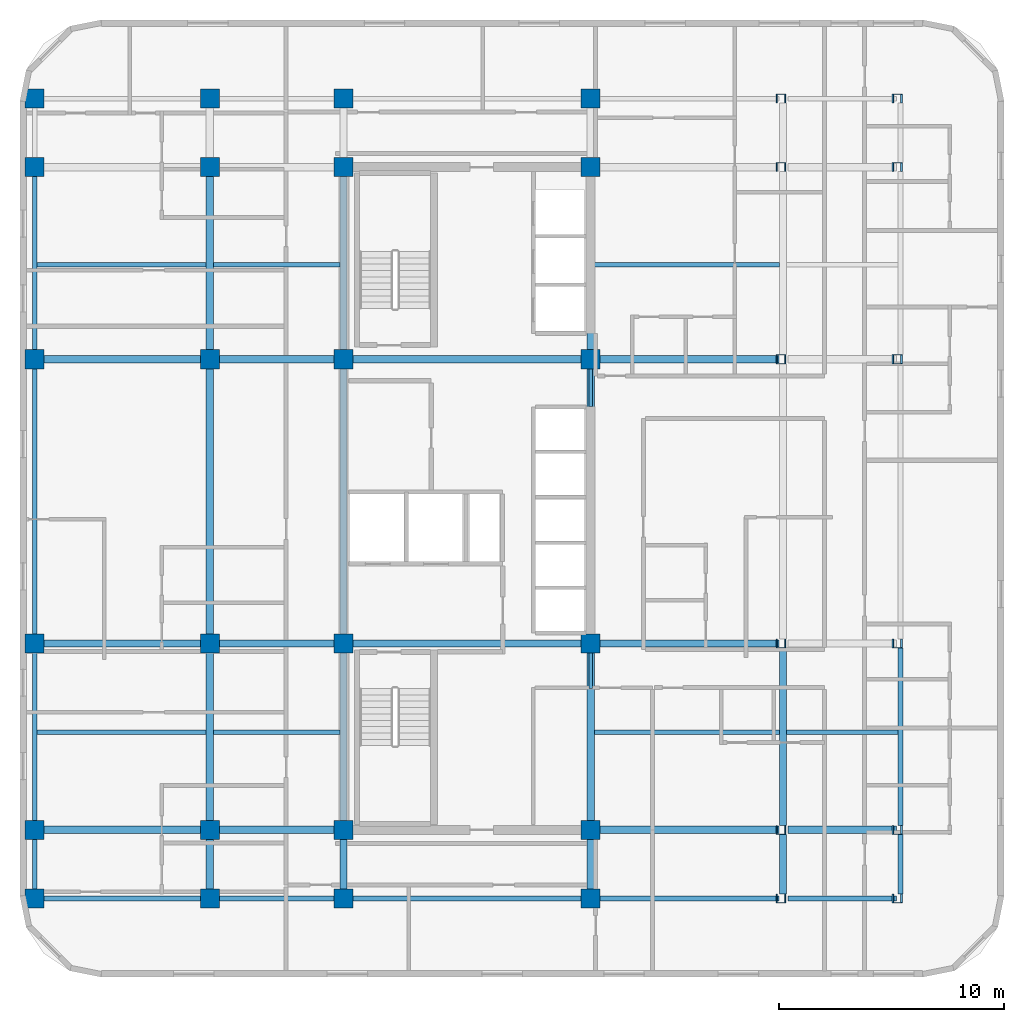
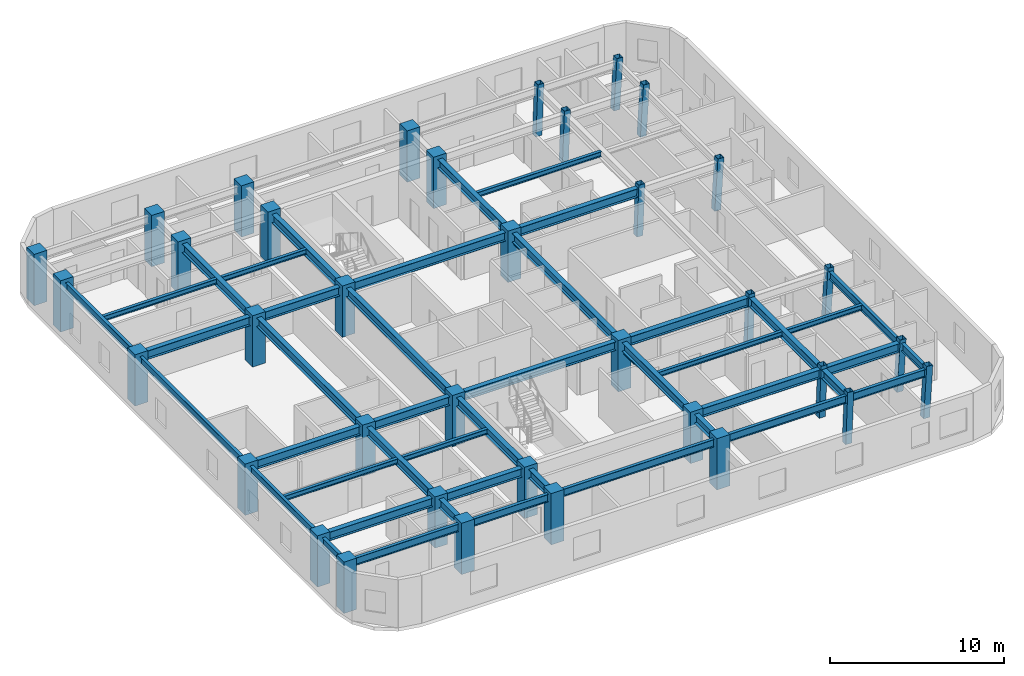
# One storey, part 1 of 9: 46 beams, 36 columns.
"""IFC4 building model written with IfcOpenShell, lengths in metres."""

import ifcopenshell
import ifcopenshell.guid

model = None  # the IFC model being written
_history = None  # IfcOwnerHistory: only IFC2X3 demands one
_inside = {}  # id of a spatial element -> (the spatial element, [elements in it])
_under = {}  # id of a project, library or spatial element -> (it, [spatial elements below it])
_declared = {}  # id of a project -> (the project, [libraries it declares])
_typed = {}  # id of a type object -> (the type object, [elements of that type])
_made_of = {}  # id of a material, layer set ... -> (it, [elements and type objects made of it])


def new_model(schema):
    """Start an empty IFC model of exactly this schema.

    Asked for "IFC4X3", IfcOpenShell would pick the latest addendum, in which some entities
    have other attributes; the version numbers below select the first issue.
    IFC2X3 requires an IfcOwnerHistory on every rooted entity: one is made here for all.
    """
    global model, _history
    if schema == "IFC4X3":
        model = ifcopenshell.file(schema_version=(4, 3, 0, 0))
    else:
        model = ifcopenshell.file(schema=schema)
    _inside.clear()
    _under.clear()
    _declared.clear()
    _typed.clear()
    _made_of.clear()
    _history = None
    if model.schema == "IFC2X3":
        org = make("IfcOrganization", Name="unknown")
        user = make(
            "IfcPersonAndOrganization",
            ThePerson=make("IfcPerson", FamilyName="unknown"),
            TheOrganization=org,
        )
        app = make(
            "IfcApplication",
            ApplicationDeveloper=org,
            Version="unknown",
            ApplicationFullName="unknown",
            ApplicationIdentifier="unknown",
        )
        _history = make(
            "IfcOwnerHistory",
            OwningUser=user,
            OwningApplication=app,
            ChangeAction="ADDED",
            CreationDate=0,
        )
    return model


def make(cls, **values):
    """One entity of the class cls with the attributes given. An attribute that is None is left unset."""
    return model.create_entity(
        cls, **{name: value for name, value in values.items() if value is not None}
    )


def rooted(cls, **values):
    """An entity with a GlobalId (a new one), such as an element, a storey or a relation."""
    return make(cls, GlobalId=ifcopenshell.guid.new(), OwnerHistory=_history, **values)


def si_unit(unit_type, name, prefix=None):
    """IfcSIUnit, for example si_unit("LENGTHUNIT", "METRE", prefix="MILLI")."""
    return make("IfcSIUnit", UnitType=unit_type, Prefix=prefix, Name=name)


def assignment(units):
    """IfcUnitAssignment: the units of a project."""
    return None if units is None else make("IfcUnitAssignment", Units=units)


def point(xyz):
    """IfcCartesianPoint."""
    return None if xyz is None else make("IfcCartesianPoint", Coordinates=xyz)


def direction(xyz):
    """IfcDirection."""
    return None if xyz is None else make("IfcDirection", DirectionRatios=xyz)


def frame(location, z_axis=None, x_axis=None):
    """IfcAxis2Placement3D, a coordinate frame: its origin and axes. An axis left out is left unset."""
    return make(
        "IfcAxis2Placement3D",
        Location=point(location),
        Axis=direction(z_axis),
        RefDirection=direction(x_axis),
    )


def frame_2d(location, x_axis=None):
    """IfcAxis2Placement2D, a coordinate frame in the plane: its origin and x axis."""
    return make(
        "IfcAxis2Placement2D", Location=point(location), RefDirection=direction(x_axis)
    )


def origin():
    """The frame at (0, 0, 0) with its axes left unset."""
    return frame((0.0, 0.0, 0.0))


def origin_2d():
    """The frame at (0, 0) in the plane with its x axis left unset."""
    return frame_2d((0.0, 0.0))


def place(relative_to, where):
    """IfcLocalPlacement: puts the frame where relative to a parent placement (None: the world)."""
    return make(
        "IfcLocalPlacement", PlacementRelTo=relative_to, RelativePlacement=where
    )


def context(
    kind, dimensions, precision=None, world=None, true_north=None, identifier=None
):
    """IfcGeometricRepresentationContext, for example the 3D "Model" context."""
    return make(
        "IfcGeometricRepresentationContext",
        ContextIdentifier=identifier,
        ContextType=kind,
        CoordinateSpaceDimension=dimensions,
        Precision=precision,
        WorldCoordinateSystem=world,
        TrueNorth=true_north,
    )


def subcontext(parent, identifier, kind, view, scale=None):
    """IfcGeometricRepresentationSubContext, for example "Body" below "Model"."""
    return make(
        "IfcGeometricRepresentationSubContext",
        ContextIdentifier=identifier,
        ContextType=kind,
        ParentContext=parent,
        TargetScale=scale,
        TargetView=view,
    )


def project(units=None, contexts=None):
    """IfcProject with its units and contexts."""
    return rooted(
        "IfcProject",
        Name="project",
        RepresentationContexts=contexts,
        UnitsInContext=assignment(units),
    )


def spatial(cls, under=None, at=None, **own):
    """A site, building, storey or space (cls), placed at a placement, below another one or the project."""
    s = rooted(cls, ObjectPlacement=at, **own)
    if under is not None:
        _under.setdefault(under.id(), (under, []))[1].append(s)
    return s


def profile(cls, at=None, kind="AREA", **sizes):
    """A parametric profile (cls). Its sizes go by their IFC names, for example OverallWidth=200.0."""
    return make(cls, ProfileType=kind, Position=at, **sizes)


def rectangle(**sizes):
    """IfcRectangleProfileDef."""
    return profile("IfcRectangleProfileDef", **sizes)


def hollow_rectangle(**sizes):
    """IfcRectangleHollowProfileDef."""
    return profile("IfcRectangleHollowProfileDef", **sizes)


def i_section(**sizes):
    """IfcIShapeProfileDef."""
    return profile("IfcIShapeProfileDef", **sizes)


def extrude(swept, where, along, depth):
    """IfcExtrudedAreaSolid: the profile swept, set in the frame where, extruded along a direction by depth."""
    return make(
        "IfcExtrudedAreaSolid",
        SweptArea=swept,
        Position=where,
        ExtrudedDirection=direction(along),
        Depth=depth,
    )


def shape(context_of_items, identifier, shape_type, items):
    """IfcShapeRepresentation: the items that make up one representation, for example the "Body"."""
    return make(
        "IfcShapeRepresentation",
        ContextOfItems=context_of_items,
        RepresentationIdentifier=identifier,
        RepresentationType=shape_type,
        Items=items,
    )


def material(Name=None, Category=None):
    """IfcMaterial."""
    return make("IfcMaterial", Name=Name, Category=Category)


def material_profile(
    of_material, cross_section, Name=None, Category=None, Priority=None
):
    """IfcMaterialProfile: a cross section and its material."""
    return make(
        "IfcMaterialProfile",
        Name=Name,
        Material=of_material,
        Profile=cross_section,
        Priority=Priority,
        Category=Category,
    )


def profile_set(profiles, Name=None, composite=None):
    """IfcMaterialProfileSet."""
    return make(
        "IfcMaterialProfileSet",
        Name=Name,
        MaterialProfiles=profiles,
        CompositeProfile=composite,
    )


def made_of(thing, what):
    """Note that an element or type object is made of a material, layer set ...; save() writes the relation."""
    if what is not None:
        _made_of.setdefault(what.id(), (what, []))[1].append(thing)
    return thing


def type_object(cls, material=None, **own):
    """A type object (cls), such as IfcWallType, which elements share."""
    return made_of(rooted(cls, **own), material)


def element(
    cls,
    number,
    at=None,
    inside=None,
    cuts=None,
    type_object=None,
    material=None,
    context=None,
    identifier="Body",
    shape_type=None,
    held_by="IfcProductDefinitionShape",
    body=None,
    shapes=None,
    **own,
):
    """One element of the class cls, such as IfcWall. Its Tag is "e" and its number.

    at: its placement. inside: the storey or other place that contains it. cuts: it is an
    opening in that element (IfcRelVoidsElement). A single representation is given by context,
    identifier, shape_type and body (its items); several are given by shapes. held_by: the class
    of the entity that holds the representations. save() writes the other relations.
    """
    e = rooted(cls, Tag="e%d" % number, ObjectPlacement=at, **own)
    if body is not None:
        shapes = [shape(context, identifier, shape_type, body)]
    if shapes is not None:
        e.Representation = make(held_by, Representations=shapes)
    if inside is not None:
        _inside.setdefault(inside.id(), (inside, []))[1].append(e)
    if cuts is not None:
        rooted(
            "IfcRelVoidsElement", RelatingBuildingElement=cuts, RelatedOpeningElement=e
        )
    if type_object is not None:
        _typed.setdefault(type_object.id(), (type_object, []))[1].append(e)
    return made_of(e, material)


def aggregate(whole, parts):
    """IfcRelAggregates: a whole, such as a stair, and the parts it consists of."""
    return rooted("IfcRelAggregates", RelatingObject=whole, RelatedObjects=parts)


def save(model, path):
    """Write the relations noted so far, then the file.

    IfcRelAggregates (storeys below a building ...), IfcRelContainedInSpatialStructure (elements
    in a storey), IfcRelDefinesByType, IfcRelAssociatesMaterial and IfcRelDeclares: one each for
    every whole, place, type object, material and project.
    """
    for whole, parts in _under.values():
        aggregate(whole, parts)
    for where, things in _inside.values():
        rooted(
            "IfcRelContainedInSpatialStructure",
            RelatedElements=things,
            RelatingStructure=where,
        )
    for kind, things in _typed.values():
        rooted("IfcRelDefinesByType", RelatedObjects=things, RelatingType=kind)
    for what, things in _made_of.values():
        rooted("IfcRelAssociatesMaterial", RelatedObjects=things, RelatingMaterial=what)
    for by, libraries in _declared.values():
        rooted("IfcRelDeclares", RelatingContext=by, RelatedDefinitions=libraries)
    model.write(path)


model = new_model("IFC4")

# Units and contexts
model_context = context("Model", 3, precision=1e-05, world=origin(), true_north=direction((0.0, 1.0)))
body_context = subcontext(model_context, "Body", "Model", "MODEL_VIEW")
ifc_project = project(units=[si_unit("LENGTHUNIT", "METRE"), si_unit("AREAUNIT", "SQUARE_METRE"), si_unit("VOLUMEUNIT", "CUBIC_METRE"), si_unit("PLANEANGLEUNIT", "RADIAN"), si_unit("MASSUNIT", "GRAM", prefix="KILO")], contexts=[model_context])

# Site, building, storey
site_placement = place(None, origin())
site = spatial("IfcSite", under=ifc_project, at=site_placement, CompositionType="ELEMENT")
building_placement = place(site_placement, origin())
building = spatial("IfcBuilding", under=site, at=building_placement, Name="Ochreholt Gables", CompositionType="ELEMENT")
storey_placement = place(building_placement, frame((0.0, 0.0, 106.199951171875)))
storey = spatial("IfcBuildingStorey", under=building, at=storey_placement, Name="L27", CompositionType="ELEMENT", Elevation=106.199951171875)

# Columns
ifc_material_1 = material(Name="Steel CSA G40.21 350W", Category="steel")
ifc_material_profile_1 = material_profile(ifc_material_1, hollow_rectangle(XDim=0.406005859375, YDim=0.406005859375, WallThickness=0.01611328125, at=origin_2d()), Name="HSS406X406X16")
ifc_profile_set_1 = profile_set([ifc_material_profile_1], Name="Steel CSA G40.21 350W")
column_type_1 = type_object("IfcColumnType", Name="COL-HSS406-RAK", PredefinedType="COLUMN", material=ifc_profile_set_1)
for number, where, z_axis, x_axis, name in (
    (1, (43.653076171875, 9.25, 0.0), (0.034971136209, 0.0, 0.999388322742), (0.0, 1.0, 0.0), "L27 Column EMY2"),
    (2, (43.653076171875, 17.550048828125, 0.0), (0.034971136209, 0.0, 0.999388322742), (0.0, 1.0, 0.0), "L27 Column EMY3"),
    (3, (43.653076171875, 30.199951171875, 0.0), (0.034971136209, 0.0, 0.999388322742), (0.0, 1.0, 0.0), "L27 Column EMY4"),
    (4, (43.653076171875, 38.75, 0.0), (0.034971136209, 0.0, 0.999388322742), (0.0, 1.0, 0.0), "L27 Column EMY5"),
):
    element("IfcColumn", number, at=place(storey_placement, frame(where, z_axis=z_axis, x_axis=x_axis)), inside=storey, type_object=column_type_1, Name=name, PredefinedType="COLUMN", context=body_context, shape_type="SweptSolid", body=[
        extrude(hollow_rectangle(XDim=0.406005859375, YDim=0.406005859375, WallThickness=0.01611328125, at=origin_2d()), origin(), (0.0, 0.0, 1.0), 3.602294921875),
    ])
ifc_material_profile_2 = material_profile(ifc_material_1, hollow_rectangle(XDim=0.406005859375, YDim=0.406005859375, WallThickness=0.01611328125, at=origin_2d()), Name="HSS406X406X16")
ifc_profile_set_2 = profile_set([ifc_material_profile_2], Name="Steel CSA G40.21 350W")
column_type_2 = type_object("IfcColumnType", Name="COL-HSS406-RAKE", PredefinedType="COLUMN", material=ifc_profile_set_2)
for number, where, z_axis, x_axis, name in (
    (5, (43.653076171875, 6.199951171875, 0.0), (0.034971136209, 0.0, 0.999388322742), (0.0, 1.0, 0.0), "L27 Column EMY1"),
    (6, (43.653076171875, 41.800048828125, 0.0), (0.034971136209, 0.0, 0.999388322742), (0.0, 1.0, 0.0), "L27 Column EMY6"),
):
    element("IfcColumn", number, at=place(storey_placement, frame(where, z_axis=z_axis, x_axis=x_axis)), inside=storey, type_object=column_type_2, Name=name, PredefinedType="COLUMN", context=body_context, shape_type="SweptSolid", body=[
        extrude(hollow_rectangle(XDim=0.406005859375, YDim=0.406005859375, WallThickness=0.01611328125, at=origin_2d()), origin(), (0.0, 0.0, 1.0), 3.602294921875),
    ])
for number, where, z_axis, x_axis, name in (
    (7, (48.81640625, 6.199951171875, 0.0), (0.057884606321, 0.0, 0.998323280481), (0.0, 1.0, 0.0), "L27 Column EEY1"),
    (8, (48.81640625, 9.25, 0.0), (0.057884606321, 0.0, 0.998323280481), (0.0, 1.0, 0.0), "L27 Column EEY2"),
    (9, (48.81640625, 17.550048828125, 0.0), (0.057884606321, 0.0, 0.998323280481), (0.0, 1.0, 0.0), "L27 Column EEY3"),
    (10, (48.81640625, 30.199951171875, 0.0), (0.057884606321, 0.0, 0.998323280481), (0.0, 1.0, 0.0), "L27 Column EEY4"),
    (11, (48.81640625, 38.75, 0.0), (0.057884606321, 0.0, 0.998323280481), (0.0, 1.0, 0.0), "L27 Column EEY5"),
    (12, (48.81640625, 41.800048828125, 0.0), (0.057884606321, 0.0, 0.998323280481), (0.0, 1.0, 0.0), "L27 Column EEY6"),
):
    element("IfcColumn", number, at=place(storey_placement, frame(where, z_axis=z_axis, x_axis=x_axis)), inside=storey, type_object=column_type_2, Name=name, PredefinedType="COLUMN", context=body_context, shape_type="SweptSolid", body=[
        extrude(hollow_rectangle(XDim=0.406005859375, YDim=0.406005859375, WallThickness=0.01611328125, at=origin_2d()), origin(), (0.0, 0.0, 1.0), 3.606201171875),
    ])
ifc_material_2 = material(Name="Concrete 60 MPa", Category="concrete")
ifc_material_profile_3 = material_profile(ifc_material_2, rectangle(XDim=0.85009765625, YDim=0.85009765625, at=origin_2d()), Name="RC850X850")
ifc_profile_set_3 = profile_set([ifc_material_profile_3], Name="Concrete 60 MPa")
column_type_3 = type_object("IfcColumnType", Name="COL-RC850-EXT", PredefinedType="COLUMN", material=ifc_profile_set_3)
for number, where, z_axis, x_axis, name in (
    (13, (10.449951171875, 6.199951171875, 0.0), (0.0, 0.0, 1.0), (1.0, 0.0, 0.0), "L27 Column W2Y1"),
    (14, (10.449951171875, 9.25, 0.0), (0.0, 0.0, 1.0), (1.0, 0.0, 0.0), "L27 Column W2Y2"),
    (15, (10.449951171875, 17.550048828125, 0.0), (0.0, 0.0, 1.0), (1.0, 0.0, 0.0), "L27 Column W2Y3"),
    (16, (10.449951171875, 30.199951171875, 0.0), (0.0, 0.0, 1.0), (1.0, 0.0, 0.0), "L27 Column W2Y4"),
    (17, (10.449951171875, 38.75, 0.0), (0.0, 0.0, 1.0), (1.0, 0.0, 0.0), "L27 Column W2Y5"),
    (18, (10.449951171875, 41.800048828125, 0.0), (0.0, 0.0, 1.0), (1.0, 0.0, 0.0), "L27 Column W2Y6"),
    (19, (18.25, 6.199951171875, 0.0), (0.0, 0.0, 1.0), (1.0, 0.0, 0.0), "L27 Column W3Y1"),
    (20, (18.25, 41.800048828125, 0.0), (0.0, 0.0, 1.0), (1.0, 0.0, 0.0), "L27 Column W3Y6"),
    (21, (24.199951171875, 6.199951171875, 0.0), (0.0, 0.0, 1.0), (1.0, 0.0, 0.0), "L27 Column C1Y1"),
    (22, (24.199951171875, 41.800048828125, 0.0), (0.0, 0.0, 1.0), (1.0, 0.0, 0.0), "L27 Column C1Y6"),
    (23, (35.199951171875, 6.199951171875, 0.0), (0.0, 0.0, 1.0), (1.0, 0.0, 0.0), "L27 Column C2Y1"),
    (24, (35.199951171875, 41.800048828125, 0.0), (0.0, 0.0, 1.0), (1.0, 0.0, 0.0), "L27 Column C2Y6"),
):
    element("IfcColumn", number, at=place(storey_placement, frame(where, z_axis=z_axis, x_axis=x_axis)), inside=storey, type_object=column_type_3, Name=name, PredefinedType="COLUMN", context=body_context, shape_type="SweptSolid", body=[
        extrude(rectangle(XDim=0.85009765625, YDim=0.85009765625, at=origin_2d()), origin(), (0.0, 0.0, 1.0), 3.60009765625),
    ])
ifc_material_profile_4 = material_profile(ifc_material_2, rectangle(XDim=0.85009765625, YDim=0.85009765625, at=origin_2d()), Name="RC850X850")
ifc_profile_set_4 = profile_set([ifc_material_profile_4], Name="Concrete 60 MPa")
column_type_4 = type_object("IfcColumnType", Name="COL-RC850-INT", PredefinedType="COLUMN", material=ifc_profile_set_4)
for number, where, z_axis, x_axis, name in (
    (25, (18.25, 9.25, 0.0), (0.0, 0.0, 1.0), (1.0, 0.0, 0.0), "L27 Column W3Y2"),
    (26, (18.25, 17.550048828125, 0.0), (0.0, 0.0, 1.0), (1.0, 0.0, 0.0), "L27 Column W3Y3"),
    (27, (18.25, 30.199951171875, 0.0), (0.0, 0.0, 1.0), (1.0, 0.0, 0.0), "L27 Column W3Y4"),
    (28, (18.25, 38.75, 0.0), (0.0, 0.0, 1.0), (1.0, 0.0, 0.0), "L27 Column W3Y5"),
    (29, (24.199951171875, 9.25, 0.0), (0.0, 0.0, 1.0), (1.0, 0.0, 0.0), "L27 Column C1Y2"),
    (30, (24.199951171875, 17.550048828125, 0.0), (0.0, 0.0, 1.0), (1.0, 0.0, 0.0), "L27 Column C1Y3"),
    (31, (24.199951171875, 30.199951171875, 0.0), (0.0, 0.0, 1.0), (1.0, 0.0, 0.0), "L27 Column C1Y4"),
    (32, (24.199951171875, 38.75, 0.0), (0.0, 0.0, 1.0), (1.0, 0.0, 0.0), "L27 Column C1Y5"),
    (33, (35.199951171875, 9.25, 0.0), (0.0, 0.0, 1.0), (1.0, 0.0, 0.0), "L27 Column C2Y2"),
    (34, (35.199951171875, 17.550048828125, 0.0), (0.0, 0.0, 1.0), (1.0, 0.0, 0.0), "L27 Column C2Y3"),
    (35, (35.199951171875, 30.199951171875, 0.0), (0.0, 0.0, 1.0), (1.0, 0.0, 0.0), "L27 Column C2Y4"),
    (36, (35.199951171875, 38.75, 0.0), (0.0, 0.0, 1.0), (1.0, 0.0, 0.0), "L27 Column C2Y5"),
):
    element("IfcColumn", number, at=place(storey_placement, frame(where, z_axis=z_axis, x_axis=x_axis)), inside=storey, type_object=column_type_4, Name=name, PredefinedType="COLUMN", context=body_context, shape_type="SweptSolid", body=[
        extrude(rectangle(XDim=0.85009765625, YDim=0.85009765625, at=origin_2d()), origin(), (0.0, 0.0, 1.0), 3.60009765625),
    ])

# Beams
ifc_material_profile_5 = material_profile(ifc_material_1, i_section(OverallWidth=0.323974609375, OverallDepth=0.611083984375, WebThickness=0.0126953125, FlangeThickness=0.01904296875, at=origin_2d()), Name="W610X155")
ifc_profile_set_5 = profile_set([ifc_material_profile_5], Name="Steel CSA G40.21 350W")
beam_type_1 = type_object("IfcBeamType", Name="BM-G-W610A", PredefinedType="BEAM", material=ifc_profile_set_5)
beam_1_placement = place(storey_placement, frame((10.87451171875, 9.25, 3.054443359375), z_axis=(1.0, 0.0, 0.0), x_axis=(0.0, 1.0, 0.0)))
element("IfcBeam", 37, at=beam_1_placement, inside=storey, type_object=beam_type_1, Name="L27 Beam TBG-L27-W2W3-Y2", PredefinedType="BEAM", context=body_context, shape_type="SweptSolid", body=[
    extrude(i_section(OverallWidth=0.323974609375, OverallDepth=0.611083984375, WebThickness=0.0126953125, FlangeThickness=0.01904296875, at=origin_2d()), origin(), (0.0, 0.0, 1.0), 6.950927734375),
])
beam_2_placement = place(storey_placement, frame((18.674560546875, 9.25, 3.054443359375), z_axis=(1.0, 0.0, 0.0), x_axis=(0.0, 1.0, 0.0)))
element("IfcBeam", 38, at=beam_2_placement, inside=storey, type_object=beam_type_1, Name="L27 Beam TBG-L27-W3C1-Y2", PredefinedType="BEAM", context=body_context, shape_type="SweptSolid", body=[
    extrude(i_section(OverallWidth=0.323974609375, OverallDepth=0.611083984375, WebThickness=0.0126953125, FlangeThickness=0.01904296875, at=origin_2d()), origin(), (0.0, 0.0, 1.0), 5.100830078125),
])
beam_3_placement = place(storey_placement, frame((35.62451171875, 9.25, 3.054443359375), z_axis=(1.0, 0.0, 0.0), x_axis=(0.0, 1.0, 0.0)))
element("IfcBeam", 39, at=beam_3_placement, inside=storey, type_object=beam_type_1, Name="L27 Beam TBG-L27-C2EM-Y2", PredefinedType="BEAM", context=body_context, shape_type="SweptSolid", body=[
    extrude(i_section(OverallWidth=0.323974609375, OverallDepth=0.611083984375, WebThickness=0.0126953125, FlangeThickness=0.01904296875, at=origin_2d()), origin(), (0.0, 0.0, 1.0), 7.951904296875),
])
beam_4_placement = place(storey_placement, frame((43.981689453125, 9.25, 3.054443359375), z_axis=(1.0, 0.0, 0.0), x_axis=(0.0, 1.0, 0.0)))
element("IfcBeam", 40, at=beam_4_placement, inside=storey, type_object=beam_type_1, Name="L27 Beam TBG-L27-EMEE-Y2", PredefinedType="BEAM", context=body_context, shape_type="SweptSolid", body=[
    extrude(i_section(OverallWidth=0.323974609375, OverallDepth=0.611083984375, WebThickness=0.0126953125, FlangeThickness=0.01904296875, at=origin_2d()), origin(), (0.0, 0.0, 1.0), 4.8408203125),
])
beam_5_placement = place(storey_placement, frame((10.87451171875, 17.550048828125, 3.054443359375), z_axis=(1.0, 0.0, 0.0), x_axis=(0.0, 1.0, 0.0)))
element("IfcBeam", 41, at=beam_5_placement, inside=storey, type_object=beam_type_1, Name="L27 Beam TBG-L27-W2W3-Y3", PredefinedType="BEAM", context=body_context, shape_type="SweptSolid", body=[
    extrude(i_section(OverallWidth=0.323974609375, OverallDepth=0.611083984375, WebThickness=0.0126953125, FlangeThickness=0.01904296875, at=origin_2d()), origin(), (0.0, 0.0, 1.0), 6.950927734375),
])
beam_6_placement = place(storey_placement, frame((18.674560546875, 17.550048828125, 3.054443359375), z_axis=(1.0, 0.0, 0.0), x_axis=(0.0, 1.0, 0.0)))
element("IfcBeam", 42, at=beam_6_placement, inside=storey, type_object=beam_type_1, Name="L27 Beam TBG-L27-W3C1-Y3", PredefinedType="BEAM", context=body_context, shape_type="SweptSolid", body=[
    extrude(i_section(OverallWidth=0.323974609375, OverallDepth=0.611083984375, WebThickness=0.0126953125, FlangeThickness=0.01904296875, at=origin_2d()), origin(), (0.0, 0.0, 1.0), 5.100830078125),
])
beam_7_placement = place(storey_placement, frame((24.62451171875, 17.550048828125, 3.054443359375), z_axis=(1.0, 0.0, 0.0), x_axis=(0.0, 1.0, 0.0)))
element("IfcBeam", 43, at=beam_7_placement, inside=storey, type_object=beam_type_1, Name="L27 Beam TBG-L27-C1C2-Y3", PredefinedType="BEAM", context=body_context, shape_type="SweptSolid", body=[
    extrude(i_section(OverallWidth=0.323974609375, OverallDepth=0.611083984375, WebThickness=0.0126953125, FlangeThickness=0.01904296875, at=origin_2d()), origin(), (0.0, 0.0, 1.0), 10.15087890625),
])
beam_8_placement = place(storey_placement, frame((35.62451171875, 17.550048828125, 3.054443359375), z_axis=(1.0, 0.0, 0.0), x_axis=(0.0, 1.0, 0.0)))
element("IfcBeam", 44, at=beam_8_placement, inside=storey, type_object=beam_type_1, Name="L27 Beam TBG-L27-C2EM-Y3", PredefinedType="BEAM", context=body_context, shape_type="SweptSolid", body=[
    extrude(i_section(OverallWidth=0.323974609375, OverallDepth=0.611083984375, WebThickness=0.0126953125, FlangeThickness=0.01904296875, at=origin_2d()), origin(), (0.0, 0.0, 1.0), 7.951904296875),
])
beam_9_placement = place(storey_placement, frame((10.87451171875, 30.199951171875, 3.054443359375), z_axis=(1.0, 0.0, 0.0), x_axis=(0.0, 1.0, 0.0)))
element("IfcBeam", 45, at=beam_9_placement, inside=storey, type_object=beam_type_1, Name="L27 Beam TBG-L27-W2W3-Y4", PredefinedType="BEAM", context=body_context, shape_type="SweptSolid", body=[
    extrude(i_section(OverallWidth=0.323974609375, OverallDepth=0.611083984375, WebThickness=0.0126953125, FlangeThickness=0.01904296875, at=origin_2d()), origin(), (0.0, 0.0, 1.0), 6.950927734375),
])
beam_10_placement = place(storey_placement, frame((18.674560546875, 30.199951171875, 3.054443359375), z_axis=(1.0, 0.0, 0.0), x_axis=(0.0, 1.0, 0.0)))
element("IfcBeam", 46, at=beam_10_placement, inside=storey, type_object=beam_type_1, Name="L27 Beam TBG-L27-W3C1-Y4", PredefinedType="BEAM", context=body_context, shape_type="SweptSolid", body=[
    extrude(i_section(OverallWidth=0.323974609375, OverallDepth=0.611083984375, WebThickness=0.0126953125, FlangeThickness=0.01904296875, at=origin_2d()), origin(), (0.0, 0.0, 1.0), 5.100830078125),
])
beam_11_placement = place(storey_placement, frame((24.62451171875, 30.199951171875, 3.054443359375), z_axis=(1.0, 0.0, 0.0), x_axis=(0.0, 1.0, 0.0)))
element("IfcBeam", 47, at=beam_11_placement, inside=storey, type_object=beam_type_1, Name="L27 Beam TBG-L27-C1C2-Y4", PredefinedType="BEAM", context=body_context, shape_type="SweptSolid", body=[
    extrude(i_section(OverallWidth=0.323974609375, OverallDepth=0.611083984375, WebThickness=0.0126953125, FlangeThickness=0.01904296875, at=origin_2d()), origin(), (0.0, 0.0, 1.0), 10.15087890625),
])
beam_12_placement = place(storey_placement, frame((35.62451171875, 30.199951171875, 3.054443359375), z_axis=(1.0, 0.0, 0.0), x_axis=(0.0, 1.0, 0.0)))
element("IfcBeam", 48, at=beam_12_placement, inside=storey, type_object=beam_type_1, Name="L27 Beam TBG-L27-C2EM-Y4", PredefinedType="BEAM", context=body_context, shape_type="SweptSolid", body=[
    extrude(i_section(OverallWidth=0.323974609375, OverallDepth=0.611083984375, WebThickness=0.0126953125, FlangeThickness=0.01904296875, at=origin_2d()), origin(), (0.0, 0.0, 1.0), 7.951904296875),
])
beam_13_placement = place(storey_placement, frame((18.25, 6.62451171875, 3.054443359375), z_axis=(0.0, 1.0, 0.0), x_axis=(-1.0, 0.0, 0.0)))
element("IfcBeam", 49, at=beam_13_placement, inside=storey, type_object=beam_type_1, Name="L27 Beam TBN-L27-W3-Y1Y2", PredefinedType="BEAM", context=body_context, shape_type="SweptSolid", body=[
    extrude(i_section(OverallWidth=0.323974609375, OverallDepth=0.611083984375, WebThickness=0.0126953125, FlangeThickness=0.01904296875, at=origin_2d()), origin(), (0.0, 0.0, 1.0), 2.200927734375),
])
beam_14_placement = place(storey_placement, frame((18.25, 9.674560546875, 3.054443359375), z_axis=(0.0, 1.0, 0.0), x_axis=(-1.0, 0.0, 0.0)))
element("IfcBeam", 50, at=beam_14_placement, inside=storey, type_object=beam_type_1, Name="L27 Beam TBN-L27-W3-Y2Y3", PredefinedType="BEAM", context=body_context, shape_type="SweptSolid", body=[
    extrude(i_section(OverallWidth=0.323974609375, OverallDepth=0.611083984375, WebThickness=0.0126953125, FlangeThickness=0.01904296875, at=origin_2d()), origin(), (0.0, 0.0, 1.0), 7.450927734375),
])
beam_15_placement = place(storey_placement, frame((18.25, 17.974609375, 3.054443359375), z_axis=(0.0, 1.0, 0.0), x_axis=(-1.0, 0.0, 0.0)))
element("IfcBeam", 51, at=beam_15_placement, inside=storey, type_object=beam_type_1, Name="L27 Beam TBN-L27-W3-Y3Y4", PredefinedType="BEAM", context=body_context, shape_type="SweptSolid", body=[
    extrude(i_section(OverallWidth=0.323974609375, OverallDepth=0.611083984375, WebThickness=0.0126953125, FlangeThickness=0.01904296875, at=origin_2d()), origin(), (0.0, 0.0, 1.0), 11.80078125),
])
beam_16_placement = place(storey_placement, frame((18.25, 30.62451171875, 3.054443359375), z_axis=(0.0, 1.0, 0.0), x_axis=(-1.0, 0.0, 0.0)))
element("IfcBeam", 52, at=beam_16_placement, inside=storey, type_object=beam_type_1, Name="L27 Beam TBN-L27-W3-Y4Y5", PredefinedType="BEAM", context=body_context, shape_type="SweptSolid", body=[
    extrude(i_section(OverallWidth=0.323974609375, OverallDepth=0.611083984375, WebThickness=0.0126953125, FlangeThickness=0.01904296875, at=origin_2d()), origin(), (0.0, 0.0, 1.0), 7.700927734375),
])
beam_17_placement = place(storey_placement, frame((24.199951171875, 6.62451171875, 3.054443359375), z_axis=(0.0, 1.0, 0.0), x_axis=(-1.0, 0.0, 0.0)))
element("IfcBeam", 53, at=beam_17_placement, inside=storey, type_object=beam_type_1, Name="L27 Beam TBN-L27-C1-Y1Y2", PredefinedType="BEAM", context=body_context, shape_type="SweptSolid", body=[
    extrude(i_section(OverallWidth=0.323974609375, OverallDepth=0.611083984375, WebThickness=0.0126953125, FlangeThickness=0.01904296875, at=origin_2d()), origin(), (0.0, 0.0, 1.0), 2.200927734375),
])
beam_18_placement = place(storey_placement, frame((24.199951171875, 9.674560546875, 3.054443359375), z_axis=(0.0, 1.0, 0.0), x_axis=(-1.0, 0.0, 0.0)))
element("IfcBeam", 54, at=beam_18_placement, inside=storey, type_object=beam_type_1, Name="L27 Beam TBN-L27-C1-Y2Y3", PredefinedType="BEAM", context=body_context, shape_type="SweptSolid", body=[
    extrude(i_section(OverallWidth=0.323974609375, OverallDepth=0.611083984375, WebThickness=0.0126953125, FlangeThickness=0.01904296875, at=origin_2d()), origin(), (0.0, 0.0, 1.0), 7.450927734375),
])
beam_19_placement = place(storey_placement, frame((24.199951171875, 17.974609375, 3.054443359375), z_axis=(0.0, 1.0, 0.0), x_axis=(-1.0, 0.0, 0.0)))
element("IfcBeam", 55, at=beam_19_placement, inside=storey, type_object=beam_type_1, Name="L27 Beam TBN-L27-C1-Y3Y4", PredefinedType="BEAM", context=body_context, shape_type="SweptSolid", body=[
    extrude(i_section(OverallWidth=0.323974609375, OverallDepth=0.611083984375, WebThickness=0.0126953125, FlangeThickness=0.01904296875, at=origin_2d()), origin(), (0.0, 0.0, 1.0), 11.80078125),
])
beam_20_placement = place(storey_placement, frame((24.199951171875, 30.62451171875, 3.054443359375), z_axis=(0.0, 1.0, 0.0), x_axis=(-1.0, 0.0, 0.0)))
element("IfcBeam", 56, at=beam_20_placement, inside=storey, type_object=beam_type_1, Name="L27 Beam TBN-L27-C1-Y4Y5", PredefinedType="BEAM", context=body_context, shape_type="SweptSolid", body=[
    extrude(i_section(OverallWidth=0.323974609375, OverallDepth=0.611083984375, WebThickness=0.0126953125, FlangeThickness=0.01904296875, at=origin_2d()), origin(), (0.0, 0.0, 1.0), 7.700927734375),
])
beam_21_placement = place(storey_placement, frame((35.199951171875, 6.62451171875, 3.054443359375), z_axis=(0.0, 1.0, 0.0), x_axis=(-1.0, 0.0, 0.0)))
element("IfcBeam", 57, at=beam_21_placement, inside=storey, type_object=beam_type_1, Name="L27 Beam TBN-L27-C2-Y1Y2", PredefinedType="BEAM", context=body_context, shape_type="SweptSolid", body=[
    extrude(i_section(OverallWidth=0.323974609375, OverallDepth=0.611083984375, WebThickness=0.0126953125, FlangeThickness=0.01904296875, at=origin_2d()), origin(), (0.0, 0.0, 1.0), 2.200927734375),
])
beam_22_placement = place(storey_placement, frame((35.199951171875, 9.674560546875, 3.054443359375), z_axis=(0.0, 1.0, 0.0), x_axis=(-1.0, 0.0, 0.0)))
element("IfcBeam", 58, at=beam_22_placement, inside=storey, type_object=beam_type_1, Name="L27 Beam TBN-L27-C2-Y2Y3", PredefinedType="BEAM", context=body_context, shape_type="SweptSolid", body=[
    extrude(i_section(OverallWidth=0.323974609375, OverallDepth=0.611083984375, WebThickness=0.0126953125, FlangeThickness=0.01904296875, at=origin_2d()), origin(), (0.0, 0.0, 1.0), 7.450927734375),
])
beam_23_placement = place(storey_placement, frame((35.199951171875, 17.974609375, 3.054443359375), z_axis=(0.0, 1.0, 0.0), x_axis=(-1.0, 0.0, 0.0)))
element("IfcBeam", 59, at=beam_23_placement, inside=storey, type_object=beam_type_1, Name="L27 Beam TBN-L27-C2-Y3Y4", PredefinedType="BEAM", context=body_context, shape_type="SweptSolid", body=[
    extrude(i_section(OverallWidth=0.323974609375, OverallDepth=0.611083984375, WebThickness=0.0126953125, FlangeThickness=0.01904296875, at=origin_2d()), origin(), (0.0, 0.0, 1.0), 11.80078125),
])
beam_24_placement = place(storey_placement, frame((35.199951171875, 30.62451171875, 3.054443359375), z_axis=(0.0, 1.0, 0.0), x_axis=(-1.0, 0.0, 0.0)))
element("IfcBeam", 60, at=beam_24_placement, inside=storey, type_object=beam_type_1, Name="L27 Beam TBN-L27-C2-Y4Y5", PredefinedType="BEAM", context=body_context, shape_type="SweptSolid", body=[
    extrude(i_section(OverallWidth=0.323974609375, OverallDepth=0.611083984375, WebThickness=0.0126953125, FlangeThickness=0.01904296875, at=origin_2d()), origin(), (0.0, 0.0, 1.0), 7.700927734375),
])
beam_25_placement = place(storey_placement, frame((43.761962890625, 6.402587890625, 3.054443359375), z_axis=(0.0, 1.0, 0.0), x_axis=(-1.0, 0.0, 0.0)))
element("IfcBeam", 61, at=beam_25_placement, inside=storey, type_object=beam_type_1, Name="L27 Beam TBN-L27-EM-Y1Y2", PredefinedType="BEAM", context=body_context, shape_type="SweptSolid", body=[
    extrude(i_section(OverallWidth=0.323974609375, OverallDepth=0.611083984375, WebThickness=0.0126953125, FlangeThickness=0.01904296875, at=origin_2d()), origin(), (0.0, 0.0, 1.0), 2.644775390625),
])
beam_26_placement = place(storey_placement, frame((43.761962890625, 9.45263671875, 3.054443359375), z_axis=(0.0, 1.0, 0.0), x_axis=(-1.0, 0.0, 0.0)))
element("IfcBeam", 62, at=beam_26_placement, inside=storey, type_object=beam_type_1, Name="L27 Beam TBN-L27-EM-Y2Y3", PredefinedType="BEAM", context=body_context, shape_type="SweptSolid", body=[
    extrude(i_section(OverallWidth=0.323974609375, OverallDepth=0.611083984375, WebThickness=0.0126953125, FlangeThickness=0.01904296875, at=origin_2d()), origin(), (0.0, 0.0, 1.0), 7.894775390625),
])
ifc_material_profile_6 = material_profile(ifc_material_1, i_section(OverallWidth=0.205078125, OverallDepth=0.35400390625, WebThickness=0.009521484375, FlangeThickness=0.016845703125, at=origin_2d()), Name="W360X79")
ifc_profile_set_6 = profile_set([ifc_material_profile_6], Name="Steel CSA G40.21 350W")
beam_type_2 = type_object("IfcBeamType", Name="BM-J-W360A", PredefinedType="JOIST", material=ifc_profile_set_6)
beam_27_placement = place(storey_placement, frame((10.55419921875, 13.60009765625, 3.18310546875), z_axis=(1.0, 0.0, 0.0), x_axis=(0.0, 1.0, 0.0)))
element("IfcBeam", 63, at=beam_27_placement, inside=storey, type_object=beam_type_2, Name="L27 Beam TBJ-L27-J1-W2W3", PredefinedType="JOIST", context=body_context, shape_type="SweptSolid", body=[
    extrude(i_section(OverallWidth=0.205078125, OverallDepth=0.35400390625, WebThickness=0.009521484375, FlangeThickness=0.016845703125, at=origin_2d()), origin(), (0.0, 0.0, 1.0), 7.5341796875),
])
beam_28_placement = place(storey_placement, frame((18.41162109375, 13.60009765625, 3.18310546875), z_axis=(1.0, 0.0, 0.0), x_axis=(0.0, 1.0, 0.0)))
element("IfcBeam", 64, at=beam_28_placement, inside=storey, type_object=beam_type_2, Name="L27 Beam TBJ-L27-J1-W3C1", PredefinedType="JOIST", context=body_context, shape_type="SweptSolid", body=[
    extrude(i_section(OverallWidth=0.205078125, OverallDepth=0.35400390625, WebThickness=0.009521484375, FlangeThickness=0.016845703125, at=origin_2d()), origin(), (0.0, 0.0, 1.0), 5.626708984375),
])
beam_29_placement = place(storey_placement, frame((35.361572265625, 13.60009765625, 3.18310546875), z_axis=(1.0, 0.0, 0.0), x_axis=(0.0, 1.0, 0.0)))
element("IfcBeam", 65, at=beam_29_placement, inside=storey, type_object=beam_type_2, Name="L27 Beam TBJ-L27-J1-C2EM", PredefinedType="JOIST", context=body_context, shape_type="SweptSolid", body=[
    extrude(i_section(OverallWidth=0.205078125, OverallDepth=0.35400390625, WebThickness=0.009521484375, FlangeThickness=0.016845703125, at=origin_2d()), origin(), (0.0, 0.0, 1.0), 8.23876953125),
])
beam_30_placement = place(storey_placement, frame((43.923583984375, 13.60009765625, 3.18310546875), z_axis=(1.0, 0.0, 0.0), x_axis=(0.0, 1.0, 0.0)))
element("IfcBeam", 66, at=beam_30_placement, inside=storey, type_object=beam_type_2, Name="L27 Beam TBJ-L27-J1-EMEE", PredefinedType="JOIST", context=body_context, shape_type="SweptSolid", body=[
    extrude(i_section(OverallWidth=0.205078125, OverallDepth=0.35400390625, WebThickness=0.009521484375, FlangeThickness=0.016845703125, at=origin_2d()), origin(), (0.0, 0.0, 1.0), 4.968994140625),
])
beam_31_placement = place(storey_placement, frame((10.55419921875, 34.39990234375, 3.18310546875), z_axis=(1.0, 0.0, 0.0), x_axis=(0.0, 1.0, 0.0)))
element("IfcBeam", 67, at=beam_31_placement, inside=storey, type_object=beam_type_2, Name="L27 Beam TBJ-L27-J2-W2W3", PredefinedType="JOIST", context=body_context, shape_type="SweptSolid", body=[
    extrude(i_section(OverallWidth=0.205078125, OverallDepth=0.35400390625, WebThickness=0.009521484375, FlangeThickness=0.016845703125, at=origin_2d()), origin(), (0.0, 0.0, 1.0), 7.5341796875),
])
beam_32_placement = place(storey_placement, frame((18.41162109375, 34.39990234375, 3.18310546875), z_axis=(1.0, 0.0, 0.0), x_axis=(0.0, 1.0, 0.0)))
element("IfcBeam", 68, at=beam_32_placement, inside=storey, type_object=beam_type_2, Name="L27 Beam TBJ-L27-J2-W3C1", PredefinedType="JOIST", context=body_context, shape_type="SweptSolid", body=[
    extrude(i_section(OverallWidth=0.205078125, OverallDepth=0.35400390625, WebThickness=0.009521484375, FlangeThickness=0.016845703125, at=origin_2d()), origin(), (0.0, 0.0, 1.0), 5.626708984375),
])
beam_33_placement = place(storey_placement, frame((35.361572265625, 34.39990234375, 3.18310546875), z_axis=(1.0, 0.0, 0.0), x_axis=(0.0, 1.0, 0.0)))
element("IfcBeam", 69, at=beam_33_placement, inside=storey, type_object=beam_type_2, Name="L27 Beam TBJ-L27-J2-C2EM", PredefinedType="JOIST", context=body_context, shape_type="SweptSolid", body=[
    extrude(i_section(OverallWidth=0.205078125, OverallDepth=0.35400390625, WebThickness=0.009521484375, FlangeThickness=0.016845703125, at=origin_2d()), origin(), (0.0, 0.0, 1.0), 8.23876953125),
])
ifc_material_profile_7 = material_profile(ifc_material_1, i_section(OverallWidth=0.1650390625, OverallDepth=0.200927734375, WebThickness=0.006103515625, FlangeThickness=0.01025390625, at=origin_2d()), Name="W200X36")
ifc_profile_set_7 = profile_set([ifc_material_profile_7], Name="Steel CSA G40.21 350W")
beam_type_3 = type_object("IfcBeamType", Name="BM-LIN-W200", PredefinedType="LINTEL", material=ifc_profile_set_7)
beam_34_placement = place(storey_placement, frame((35.199951171875, 15.550048828125, 2.6484375), z_axis=(0.0, 1.0, 0.0), x_axis=(-1.0, 0.0, 0.0)))
element("IfcBeam", 70, at=beam_34_placement, inside=storey, type_object=beam_type_3, Name="L27 Core Coupling Lintel CPS", PredefinedType="LINTEL", context=body_context, shape_type="SweptSolid", body=[
    extrude(i_section(OverallWidth=0.1650390625, OverallDepth=0.200927734375, WebThickness=0.006103515625, FlangeThickness=0.01025390625, at=origin_2d()), origin(), (0.0, 0.0, 1.0), 1.574951171875),
])
beam_35_placement = place(storey_placement, frame((35.199951171875, 28.10009765625, 2.6484375), z_axis=(0.0, 1.0, 0.0), x_axis=(-1.0, 0.0, 0.0)))
element("IfcBeam", 71, at=beam_35_placement, inside=storey, type_object=beam_type_3, Name="L27 Core Coupling Lintel CPN", PredefinedType="LINTEL", context=body_context, shape_type="SweptSolid", body=[
    extrude(i_section(OverallWidth=0.1650390625, OverallDepth=0.200927734375, WebThickness=0.006103515625, FlangeThickness=0.01025390625, at=origin_2d()), origin(), (0.0, 0.0, 1.0), 1.6748046875),
])
ifc_material_profile_8 = material_profile(ifc_material_1, i_section(OverallWidth=0.208984375, OverallDepth=0.532958984375, WebThickness=0.01025390625, FlangeThickness=0.015625, at=origin_2d()), Name="W530X92")
ifc_profile_set_8 = profile_set([ifc_material_profile_8], Name="Steel CSA G40.21 350W")
beam_type_4 = type_object("IfcBeamType", Name="BM-SP-W530B", PredefinedType="SPANDREL", material=ifc_profile_set_8)
beam_36_placement = place(storey_placement, frame((10.87451171875, 6.199951171875, 3.093505859375), z_axis=(1.0, 0.0, 0.0), x_axis=(0.0, 1.0, 0.0)))
element("IfcBeam", 72, at=beam_36_placement, inside=storey, type_object=beam_type_4, Name="L27 Beam TBG-L27-W2W3-Y1", PredefinedType="SPANDREL", context=body_context, shape_type="SweptSolid", body=[
    extrude(i_section(OverallWidth=0.208984375, OverallDepth=0.532958984375, WebThickness=0.01025390625, FlangeThickness=0.015625, at=origin_2d()), origin(), (0.0, 0.0, 1.0), 6.950927734375),
])
beam_37_placement = place(storey_placement, frame((18.674560546875, 6.199951171875, 3.093505859375), z_axis=(1.0, 0.0, 0.0), x_axis=(0.0, 1.0, 0.0)))
element("IfcBeam", 73, at=beam_37_placement, inside=storey, type_object=beam_type_4, Name="L27 Beam TBG-L27-W3C1-Y1", PredefinedType="SPANDREL", context=body_context, shape_type="SweptSolid", body=[
    extrude(i_section(OverallWidth=0.208984375, OverallDepth=0.532958984375, WebThickness=0.01025390625, FlangeThickness=0.015625, at=origin_2d()), origin(), (0.0, 0.0, 1.0), 5.100830078125),
])
beam_38_placement = place(storey_placement, frame((24.62451171875, 6.199951171875, 3.093505859375), z_axis=(1.0, 0.0, 0.0), x_axis=(0.0, 1.0, 0.0)))
element("IfcBeam", 74, at=beam_38_placement, inside=storey, type_object=beam_type_4, Name="L27 Beam TBG-L27-C1C2-Y1", PredefinedType="SPANDREL", context=body_context, shape_type="SweptSolid", body=[
    extrude(i_section(OverallWidth=0.208984375, OverallDepth=0.532958984375, WebThickness=0.01025390625, FlangeThickness=0.015625, at=origin_2d()), origin(), (0.0, 0.0, 1.0), 10.15087890625),
])
beam_39_placement = place(storey_placement, frame((35.62451171875, 6.199951171875, 3.093505859375), z_axis=(1.0, 0.0, 0.0), x_axis=(0.0, 1.0, 0.0)))
element("IfcBeam", 75, at=beam_39_placement, inside=storey, type_object=beam_type_4, Name="L27 Beam TBG-L27-C2EM-Y1", PredefinedType="SPANDREL", context=body_context, shape_type="SweptSolid", body=[
    extrude(i_section(OverallWidth=0.208984375, OverallDepth=0.532958984375, WebThickness=0.01025390625, FlangeThickness=0.015625, at=origin_2d()), origin(), (0.0, 0.0, 1.0), 7.951904296875),
])
beam_40_placement = place(storey_placement, frame((43.981689453125, 6.199951171875, 3.093505859375), z_axis=(1.0, 0.0, 0.0), x_axis=(0.0, 1.0, 0.0)))
element("IfcBeam", 76, at=beam_40_placement, inside=storey, type_object=beam_type_4, Name="L27 Beam TBG-L27-EMEE-Y1", PredefinedType="SPANDREL", context=body_context, shape_type="SweptSolid", body=[
    extrude(i_section(OverallWidth=0.208984375, OverallDepth=0.532958984375, WebThickness=0.01025390625, FlangeThickness=0.015625, at=origin_2d()), origin(), (0.0, 0.0, 1.0), 4.8408203125),
])
beam_41_placement = place(storey_placement, frame((10.449951171875, 6.62451171875, 3.093505859375), z_axis=(0.0, 1.0, 0.0), x_axis=(-1.0, 0.0, 0.0)))
element("IfcBeam", 77, at=beam_41_placement, inside=storey, type_object=beam_type_4, Name="L27 Beam TBN-L27-W2-Y1Y2", PredefinedType="SPANDREL", context=body_context, shape_type="SweptSolid", body=[
    extrude(i_section(OverallWidth=0.208984375, OverallDepth=0.532958984375, WebThickness=0.01025390625, FlangeThickness=0.015625, at=origin_2d()), origin(), (0.0, 0.0, 1.0), 2.200927734375),
])
beam_42_placement = place(storey_placement, frame((10.449951171875, 9.674560546875, 3.093505859375), z_axis=(0.0, 1.0, 0.0), x_axis=(-1.0, 0.0, 0.0)))
element("IfcBeam", 78, at=beam_42_placement, inside=storey, type_object=beam_type_4, Name="L27 Beam TBN-L27-W2-Y2Y3", PredefinedType="SPANDREL", context=body_context, shape_type="SweptSolid", body=[
    extrude(i_section(OverallWidth=0.208984375, OverallDepth=0.532958984375, WebThickness=0.01025390625, FlangeThickness=0.015625, at=origin_2d()), origin(), (0.0, 0.0, 1.0), 7.450927734375),
])
beam_43_placement = place(storey_placement, frame((10.449951171875, 17.974609375, 3.093505859375), z_axis=(0.0, 1.0, 0.0), x_axis=(-1.0, 0.0, 0.0)))
element("IfcBeam", 79, at=beam_43_placement, inside=storey, type_object=beam_type_4, Name="L27 Beam TBN-L27-W2-Y3Y4", PredefinedType="SPANDREL", context=body_context, shape_type="SweptSolid", body=[
    extrude(i_section(OverallWidth=0.208984375, OverallDepth=0.532958984375, WebThickness=0.01025390625, FlangeThickness=0.015625, at=origin_2d()), origin(), (0.0, 0.0, 1.0), 11.80078125),
])
beam_44_placement = place(storey_placement, frame((10.449951171875, 30.62451171875, 3.093505859375), z_axis=(0.0, 1.0, 0.0), x_axis=(-1.0, 0.0, 0.0)))
element("IfcBeam", 80, at=beam_44_placement, inside=storey, type_object=beam_type_4, Name="L27 Beam TBN-L27-W2-Y4Y5", PredefinedType="SPANDREL", context=body_context, shape_type="SweptSolid", body=[
    extrude(i_section(OverallWidth=0.208984375, OverallDepth=0.532958984375, WebThickness=0.01025390625, FlangeThickness=0.015625, at=origin_2d()), origin(), (0.0, 0.0, 1.0), 7.700927734375),
])
beam_45_placement = place(storey_placement, frame((48.996826171875, 6.402587890625, 3.093505859375), z_axis=(0.0, 1.0, 0.0), x_axis=(-1.0, 0.0, 0.0)))
element("IfcBeam", 81, at=beam_45_placement, inside=storey, type_object=beam_type_4, Name="L27 Beam TBN-L27-EE-Y1Y2", PredefinedType="SPANDREL", context=body_context, shape_type="SweptSolid", body=[
    extrude(i_section(OverallWidth=0.208984375, OverallDepth=0.532958984375, WebThickness=0.01025390625, FlangeThickness=0.015625, at=origin_2d()), origin(), (0.0, 0.0, 1.0), 2.644775390625),
])
beam_46_placement = place(storey_placement, frame((48.996826171875, 9.45263671875, 3.093505859375), z_axis=(0.0, 1.0, 0.0), x_axis=(-1.0, 0.0, 0.0)))
element("IfcBeam", 82, at=beam_46_placement, inside=storey, type_object=beam_type_4, Name="L27 Beam TBN-L27-EE-Y2Y3", PredefinedType="SPANDREL", context=body_context, shape_type="SweptSolid", body=[
    extrude(i_section(OverallWidth=0.208984375, OverallDepth=0.532958984375, WebThickness=0.01025390625, FlangeThickness=0.015625, at=origin_2d()), origin(), (0.0, 0.0, 1.0), 7.894775390625),
])

save(model, "model.ifc")
